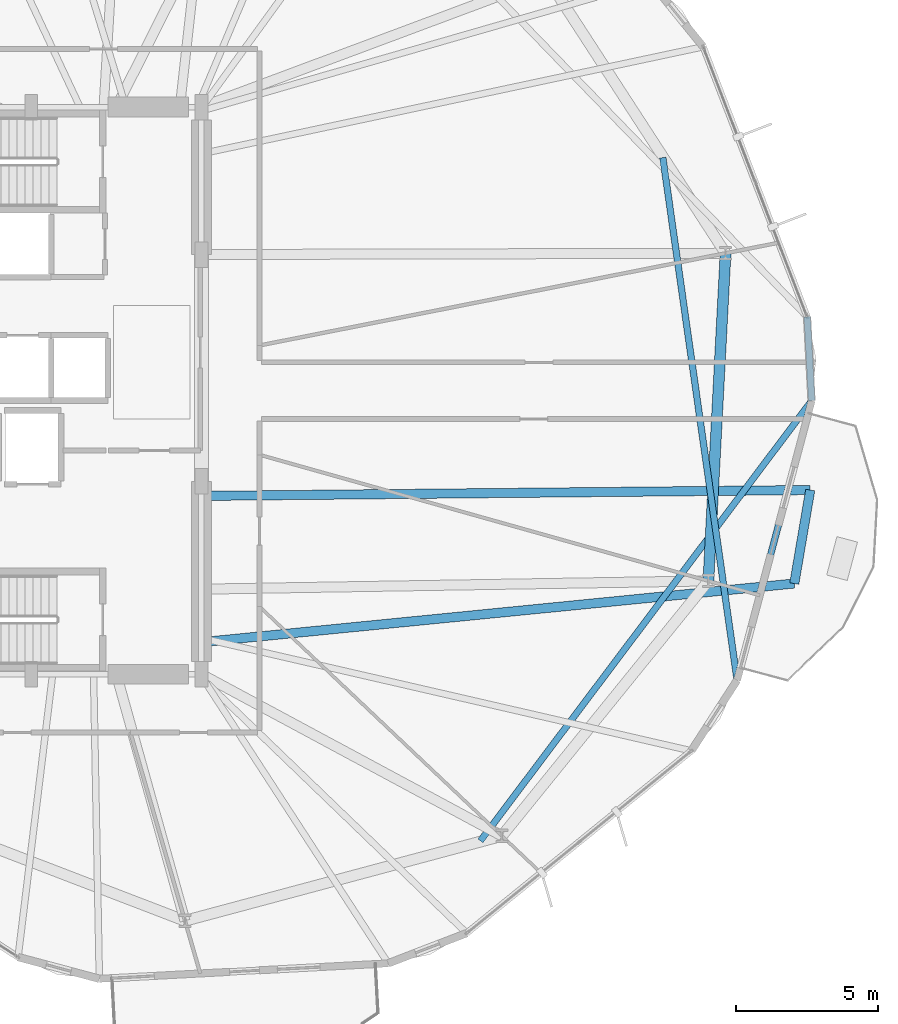
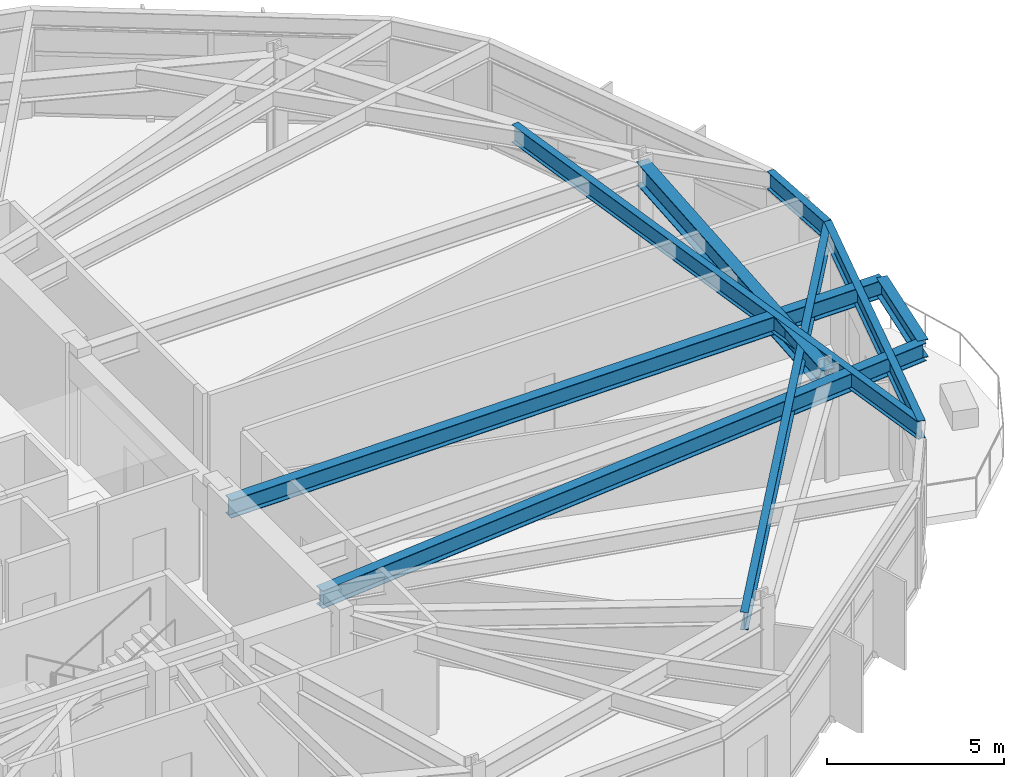
# One storey, part 10 of 23: 8 beams.
"""IFC4 building model written with IfcOpenShell, lengths in metres."""

from ifc_helpers import new_model, si_unit, direction, frame, origin, origin_2d, place, context, subcontext, project, spatial, i_section, extrude, material, material_profile, profile_set, type_object, element, save


model = new_model("IFC4")

# Units and contexts
model_context = context("Model", 3, precision=1e-05, world=origin(), true_north=direction((0.0, 1.0)))
body_context = subcontext(model_context, "Body", "Model", "MODEL_VIEW")
ifc_project = project(units=[si_unit("LENGTHUNIT", "METRE"), si_unit("AREAUNIT", "SQUARE_METRE"), si_unit("VOLUMEUNIT", "CUBIC_METRE"), si_unit("PLANEANGLEUNIT", "RADIAN"), si_unit("MASSUNIT", "GRAM", prefix="KILO")], contexts=[model_context])

# Site, building, storey
site_placement = place(None, origin())
site = spatial("IfcSite", under=ifc_project, at=site_placement, CompositionType="ELEMENT")
building_placement = place(site_placement, origin())
building = spatial("IfcBuilding", under=site, at=building_placement, Name="Soratama Intermodal Tower", CompositionType="ELEMENT")
storey_placement = place(building_placement, frame((0.0, 0.0, 38.60009765625)))
storey = spatial("IfcBuildingStorey", under=building, at=storey_placement, Name="L08", CompositionType="ELEMENT", Elevation=38.60009765625)

# Beams
ifc_material_1 = material(Name="Structural steel ASTM A992 Grade 50", Category="steel")
ifc_material_profile_1 = material_profile(ifc_material_1, i_section(OverallWidth=0.324951171875, OverallDepth=0.615966796875, WebThickness=0.013916015625, FlangeThickness=0.021484375, FilletRadius=0.013916015625, at=origin_2d()), Name="W24X117")
ifc_profile_set_1 = profile_set([ifc_material_profile_1], Name="Structural steel ASTM A992 Grade 50")
beam_type_1 = type_object("IfcBeamType", Name="BM-CANT-W24X117", PredefinedType="BEAM", material=ifc_profile_set_1)
beam_1_placement = place(storey_placement, frame((65.506103515625, 18.198974609375, 3.391845703125), z_axis=(0.168315490952, 0.985733176628, 0.0), x_axis=(-0.985733176628, 0.168315490952, 0.0)))
element("IfcBeam", 1, at=beam_1_placement, inside=storey, type_object=beam_type_1, Name="BM-L08-CBHDR-1", PredefinedType="BEAM", context=body_context, shape_type="SweptSolid", body=[
    extrude(i_section(OverallWidth=0.324951171875, OverallDepth=0.615966796875, WebThickness=0.013916015625, FlangeThickness=0.021484375, FilletRadius=0.013916015625, at=origin_2d()), origin(), (0.0, 0.0, 1.0), 3.3447265625),
])
beam_2_placement = place(storey_placement, frame((44.639892578125, 16.134033203125, 3.391845703125), z_axis=(0.995139033408, 0.098479968463, 0.0), x_axis=(-0.098479968463, 0.995139033408, 0.0)))
element("IfcBeam", 2, at=beam_2_placement, inside=storey, type_object=beam_type_1, Name="BM-L08-CANT-1-1", PredefinedType="BEAM", context=body_context, shape_type="SweptSolid", body=[
    extrude(i_section(OverallWidth=0.324951171875, OverallDepth=0.615966796875, WebThickness=0.013916015625, FlangeThickness=0.021484375, FilletRadius=0.013916015625, at=origin_2d()), origin(), (0.0, 0.0, 1.0), 20.968017578125),
])
beam_3_placement = place(storey_placement, frame((44.639892578125, 21.2880859375, 3.391845703125), z_axis=(0.999952892861, 0.009706289616, 0.0), x_axis=(-0.009706289616, 0.999952892861, 0.0)))
element("IfcBeam", 3, at=beam_3_placement, inside=storey, type_object=beam_type_1, Name="BM-L08-CANT-1-2", PredefinedType="BEAM", context=body_context, shape_type="SweptSolid", body=[
    extrude(i_section(OverallWidth=0.324951171875, OverallDepth=0.615966796875, WebThickness=0.013916015625, FlangeThickness=0.021484375, FilletRadius=0.013916015625, at=origin_2d()), origin(), (0.0, 0.0, 1.0), 21.43017578125),
])
ifc_material_2 = material(Name="Structural steel ASTM A992 Grade 50", Category="steel")
ifc_material_profile_2 = material_profile(ifc_material_2, i_section(OverallWidth=0.382080078125, OverallDepth=0.779052734375, WebThickness=0.01806640625, FlangeThickness=0.030029296875, FilletRadius=0.01806640625, at=origin_2d()), Name="W30X191")
ifc_profile_set_2 = profile_set([ifc_material_profile_2], Name="Structural steel ASTM A992 Grade 50")
beam_type_2 = type_object("IfcBeamType", Name="BM-RING-W30X191", PredefinedType="BEAM", material=ifc_profile_set_2)
beam_4_placement = place(storey_placement, frame((62.47705078125, 18.291015625, 3.310302734375), z_axis=(0.052289698717, 0.998631957935, 0.0), x_axis=(-0.998631957935, 0.052289698717, 0.0)))
element("IfcBeam", 4, at=beam_4_placement, inside=storey, type_object=beam_type_2, Name="BM-L08-RING-10", PredefinedType="BEAM", context=body_context, shape_type="SweptSolid", body=[
    extrude(i_section(OverallWidth=0.382080078125, OverallDepth=0.779052734375, WebThickness=0.01806640625, FlangeThickness=0.030029296875, FilletRadius=0.01806640625, at=origin_2d()), origin(), (0.0, 0.0, 1.0), 11.56982421875),
])
ifc_material_3 = material(Name="Structural steel ASTM A992 Grade 50", Category="steel")
ifc_material_profile_3 = material_profile(ifc_material_3, i_section(OverallWidth=0.22900390625, OverallDepth=0.612060546875, WebThickness=0.011962890625, FlangeThickness=0.01953125, FilletRadius=0.012939453125, at=origin_2d()), Name="W24X84")
ifc_profile_set_3 = profile_set([ifc_material_profile_3], Name="Structural steel ASTM A992 Grade 50")
beam_type_3 = type_object("IfcBeamType", Name="BM-SPN-W24X84", PredefinedType="SPANDREL", material=ifc_profile_set_3)
beam_5_placement = place(storey_placement, frame((63.489990234375, 14.787109375, 3.393798828125), z_axis=(0.257810107037, 0.966195605822, 0.0), x_axis=(-0.966195605822, 0.257810107037, 0.0)))
element("IfcBeam", 5, at=beam_5_placement, inside=storey, type_object=beam_type_3, Name="BS-L08-F10", PredefinedType="SPANDREL", context=body_context, shape_type="SweptSolid", body=[
    extrude(i_section(OverallWidth=0.22900390625, OverallDepth=0.612060546875, WebThickness=0.011962890625, FlangeThickness=0.01953125, FilletRadius=0.012939453125, at=origin_2d()), origin(), (0.0, 0.0, 1.0), 10.201904296875),
])
beam_6_placement = place(storey_placement, frame((66.1201171875, 24.64404296875, 3.393798828125), z_axis=(-0.05333643557, 0.998576599286, 0.0), x_axis=(-0.998576599286, -0.05333643557, 0.0)))
element("IfcBeam", 6, at=beam_6_placement, inside=storey, type_object=beam_type_3, Name="BS-L08-CRN10", PredefinedType="SPANDREL", context=body_context, shape_type="SweptSolid", body=[
    extrude(i_section(OverallWidth=0.22900390625, OverallDepth=0.612060546875, WebThickness=0.011962890625, FlangeThickness=0.01953125, FilletRadius=0.012939453125, at=origin_2d()), origin(), (0.0, 0.0, 1.0), 2.966064453125),
])
ifc_material_4 = material(Name="Structural steel ASTM A992 Grade 50", Category="steel")
ifc_material_profile_4 = material_profile(ifc_material_4, i_section(OverallWidth=0.22900390625, OverallDepth=0.612060546875, WebThickness=0.011962890625, FlangeThickness=0.01953125, FilletRadius=0.012939453125, at=origin_2d()), Name="W24X84")
ifc_profile_set_4 = profile_set([ifc_material_profile_4], Name="Structural steel ASTM A992 Grade 50")
beam_type_4 = type_object("IfcBeamType", Name="BM-TIE-W24X84", PredefinedType="BEAM", material=ifc_profile_set_4)
beam_7_placement = place(storey_placement, frame((60.87109375, 33.218017578125, 3.393798828125), z_axis=(0.140679558745, -0.990055181165, 0.0), x_axis=(0.990055181165, 0.140679558745, 0.0)))
element("IfcBeam", 7, at=beam_7_placement, inside=storey, type_object=beam_type_4, Name="BM-L08-TIE0-10", PredefinedType="BEAM", context=body_context, shape_type="SweptSolid", body=[
    extrude(i_section(OverallWidth=0.22900390625, OverallDepth=0.612060546875, WebThickness=0.011962890625, FlangeThickness=0.01953125, FilletRadius=0.012939453125, at=origin_2d()), origin(), (0.0, 0.0, 1.0), 18.615966796875),
])
beam_8_placement = place(storey_placement, frame((54.43798828125, 9.123046875, 3.393798828125), z_axis=(0.601362468351, 0.798976333604, 0.0), x_axis=(-0.798976333604, 0.601362468351, 0.0)))
element("IfcBeam", 8, at=beam_8_placement, inside=storey, type_object=beam_type_4, Name="BM-L08-TIE1-10", PredefinedType="BEAM", context=body_context, shape_type="SweptSolid", body=[
    extrude(i_section(OverallWidth=0.22900390625, OverallDepth=0.612060546875, WebThickness=0.011962890625, FlangeThickness=0.01953125, FilletRadius=0.012939453125, at=origin_2d()), origin(), (0.0, 0.0, 1.0), 19.426025390625),
])

save(model, "model.ifc")
